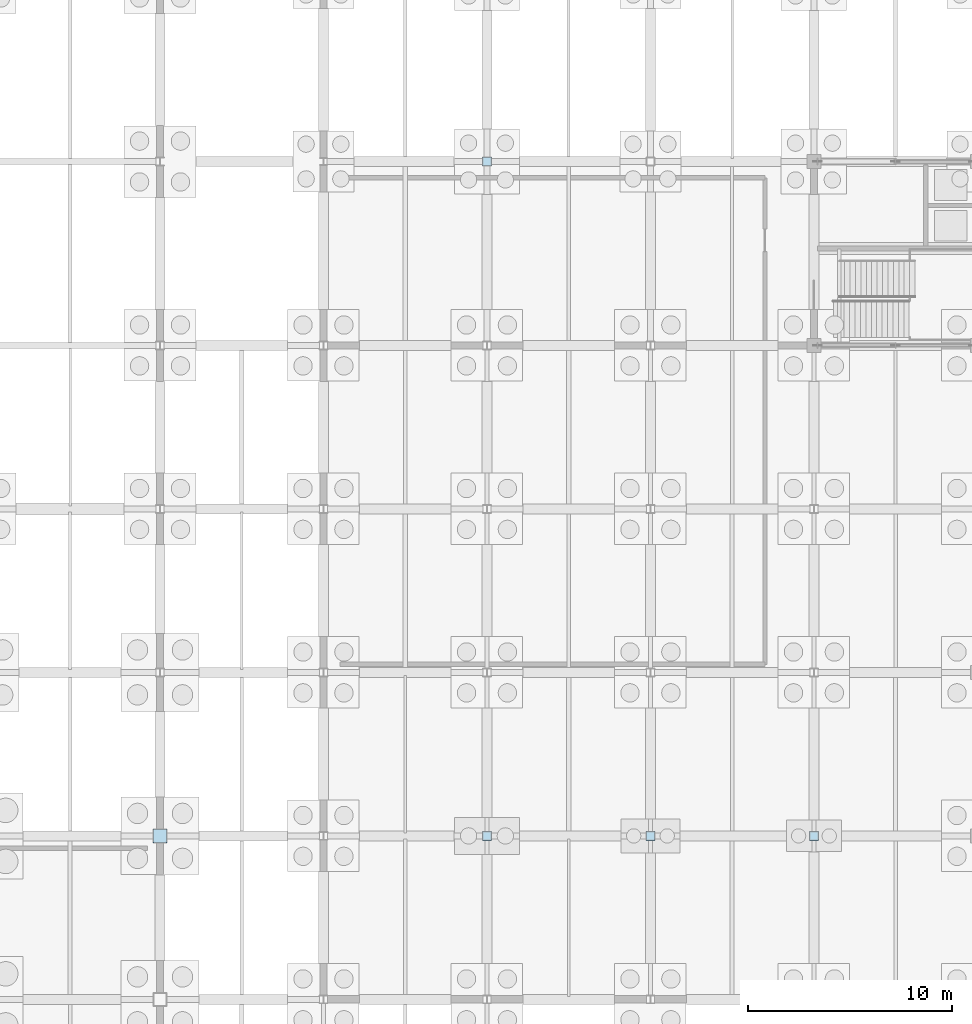
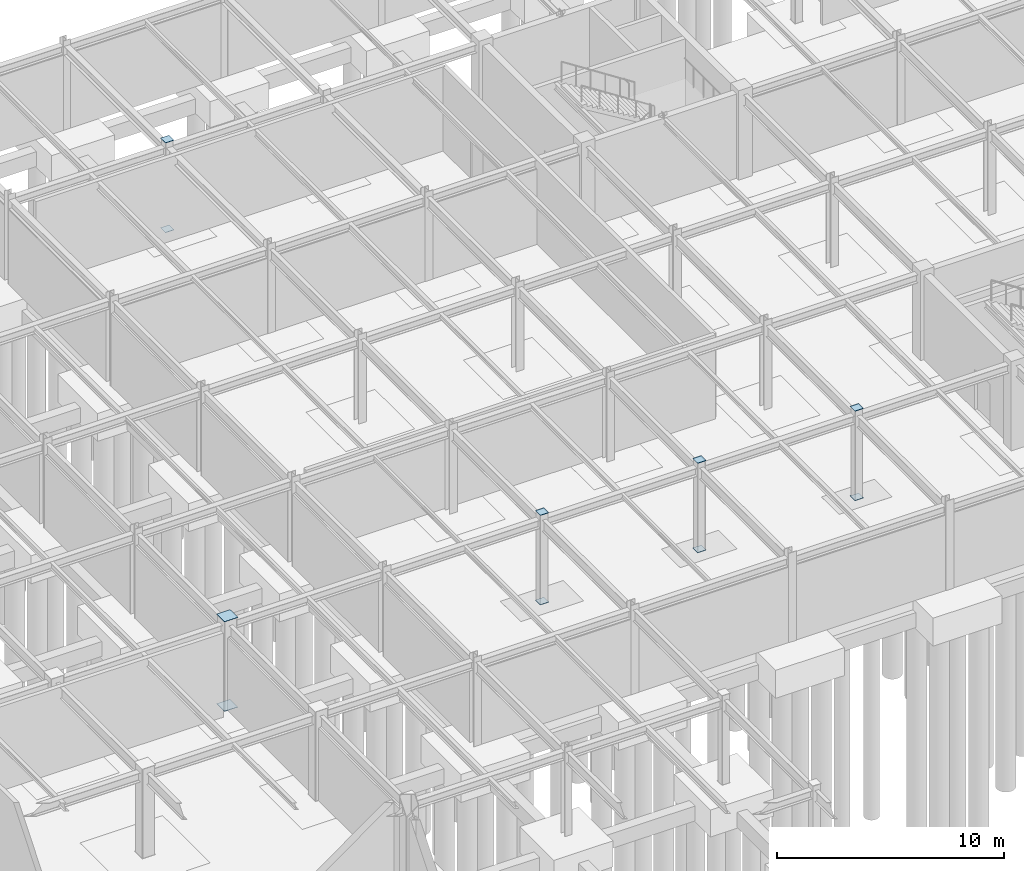
# One storey, part 54 of 72: 13 plates.
"""IFC4 building model written with IfcOpenShell, lengths in metres."""

from ifc_helpers import new_model, si_unit, direction, frame, origin, origin_2d, place, context, subcontext, project, spatial, rectangle, extrude, material, layer, layer_set, type_object, element, save


model = new_model("IFC4")

# Units and contexts
model_context = context("Model", 3, precision=1e-05, world=origin(), true_north=direction((0.0, 1.0)))
body_context = subcontext(model_context, "Body", "Model", "MODEL_VIEW")
ifc_project = project(units=[si_unit("LENGTHUNIT", "METRE"), si_unit("AREAUNIT", "SQUARE_METRE"), si_unit("VOLUMEUNIT", "CUBIC_METRE"), si_unit("PLANEANGLEUNIT", "RADIAN"), si_unit("MASSUNIT", "GRAM", prefix="KILO")], contexts=[model_context])

# Site, building, storey
site_placement = place(None, origin())
site = spatial("IfcSite", under=ifc_project, at=site_placement, CompositionType="ELEMENT")
building_placement = place(site_placement, origin())
building = spatial("IfcBuilding", under=site, at=building_placement, Name="Zhaolan Boulevard Law Courts", CompositionType="ELEMENT")
storey_placement = place(building_placement, frame((0.0, 0.0, -4.800048828125)))
storey = spatial("IfcBuildingStorey", under=building, at=storey_placement, Name="B1", CompositionType="ELEMENT", Elevation=-4.800048828125)

# Plates
ifc_material = material(Name="Structural steel Q355B", Category="steel")
ifc_layer = layer(ifc_material, 0.02001953125)
ifc_layer_set = layer_set([ifc_layer])
plate_type = type_object("IfcPlateType", Name="END CAP PLATE 20", PredefinedType="SHEET", material=ifc_layer_set)
for number, where, z_axis, x_axis, name in (
    (1, (60.0, 70.0, 4.780029296875), (0.0, 0.0, 1.0), (1.0, 0.0, 0.0), "Hollow Column Top End-Cap Plate ECP-8K"),
    (2, (68.0, 70.0, 4.780029296875), (0.0, 0.0, 1.0), (1.0, 0.0, 0.0), "Hollow Column Top End-Cap Plate ECP-9K"),
    (3, (76.0, 70.0, 4.780029296875), (0.0, 0.0, 1.0), (1.0, 0.0, 0.0), "Hollow Column Top End-Cap Plate ECP-10K"),
):
    element("IfcPlate", number, at=place(storey_placement, frame(where, z_axis=z_axis, x_axis=x_axis)), inside=storey, type_object=plate_type, Name=name, PredefinedType="SHEET", context=body_context, shape_type="SweptSolid", body=[
        extrude(rectangle(XDim=0.39990234375, YDim=0.39990234375, at=origin_2d()), origin(), (0.0, 0.0, 1.0), 0.02001953125),
    ])
for number, where, z_axis, x_axis, name in (
    (4, (44.0, 70.0, -0.01806640625), (0.0, 0.0, 1.0), (1.0, 0.0, 0.0), "Hollow Section End-Cap Plate ECP-0577"),
    (5, (44.0, 70.0, 4.798095703125), (0.0, 0.0, 1.0), (1.0, 0.0, 0.0), "Hollow Section End-Cap Plate ECP-0578"),
):
    element("IfcPlate", number, at=place(storey_placement, frame(where, z_axis=z_axis, x_axis=x_axis)), inside=storey, type_object=plate_type, Name=name, PredefinedType="SHEET", context=body_context, shape_type="SweptSolid", body=[
        extrude(rectangle(XDim=0.679931640625, YDim=0.679931640625, at=origin_2d()), origin(), (0.0, 0.0, 1.0), 0.02001953125),
    ])
for number, where, z_axis, x_axis, name in (
    (6, (60.0, 70.0, -0.01806640625), (0.0, 0.0, 1.0), (1.0, 0.0, 0.0), "Hollow Section End-Cap Plate ECP-0605"),
    (7, (60.0, 70.0, 4.798095703125), (0.0, 0.0, 1.0), (1.0, 0.0, 0.0), "Hollow Section End-Cap Plate ECP-0606"),
    (8, (60.0, 103.0, -0.01806640625), (0.0, 0.0, 1.0), (1.0, 0.0, 0.0), "Hollow Section End-Cap Plate ECP-0607"),
    (9, (60.0, 103.0, 4.798095703125), (0.0, 0.0, 1.0), (1.0, 0.0, 0.0), "Hollow Section End-Cap Plate ECP-0608"),
    (10, (68.0, 70.0, -0.01806640625), (0.0, 0.0, 1.0), (1.0, 0.0, 0.0), "Hollow Section End-Cap Plate ECP-0613"),
    (11, (68.0, 70.0, 4.798095703125), (0.0, 0.0, 1.0), (1.0, 0.0, 0.0), "Hollow Section End-Cap Plate ECP-0614"),
    (12, (76.0, 70.0, -0.01806640625), (0.0, 0.0, 1.0), (1.0, 0.0, 0.0), "Hollow Section End-Cap Plate ECP-0621"),
    (13, (76.0, 70.0, 4.798095703125), (0.0, 0.0, 1.0), (1.0, 0.0, 0.0), "Hollow Section End-Cap Plate ECP-0622"),
):
    element("IfcPlate", number, at=place(storey_placement, frame(where, z_axis=z_axis, x_axis=x_axis)), inside=storey, type_object=plate_type, Name=name, PredefinedType="SHEET", context=body_context, shape_type="SweptSolid", body=[
        extrude(rectangle(XDim=0.429931640625, YDim=0.429931640625, at=origin_2d()), origin(), (0.0, 0.0, 1.0), 0.02001953125),
    ])

save(model, "model.ifc")
